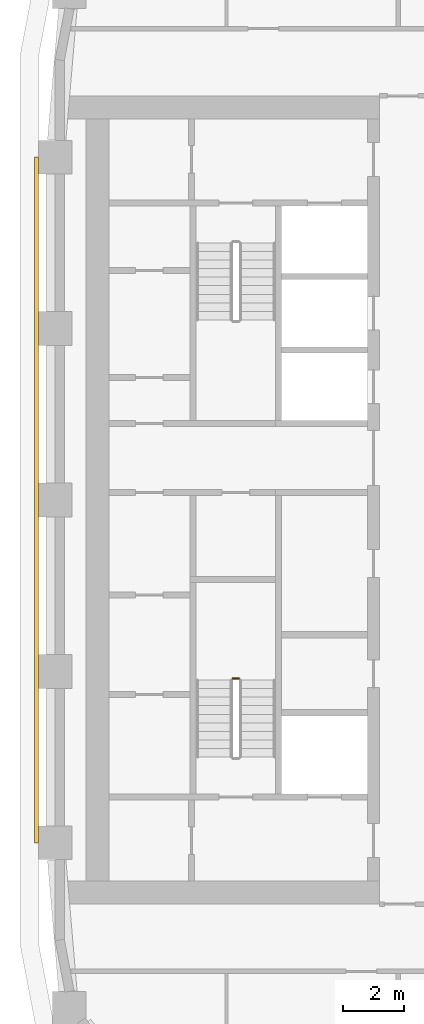
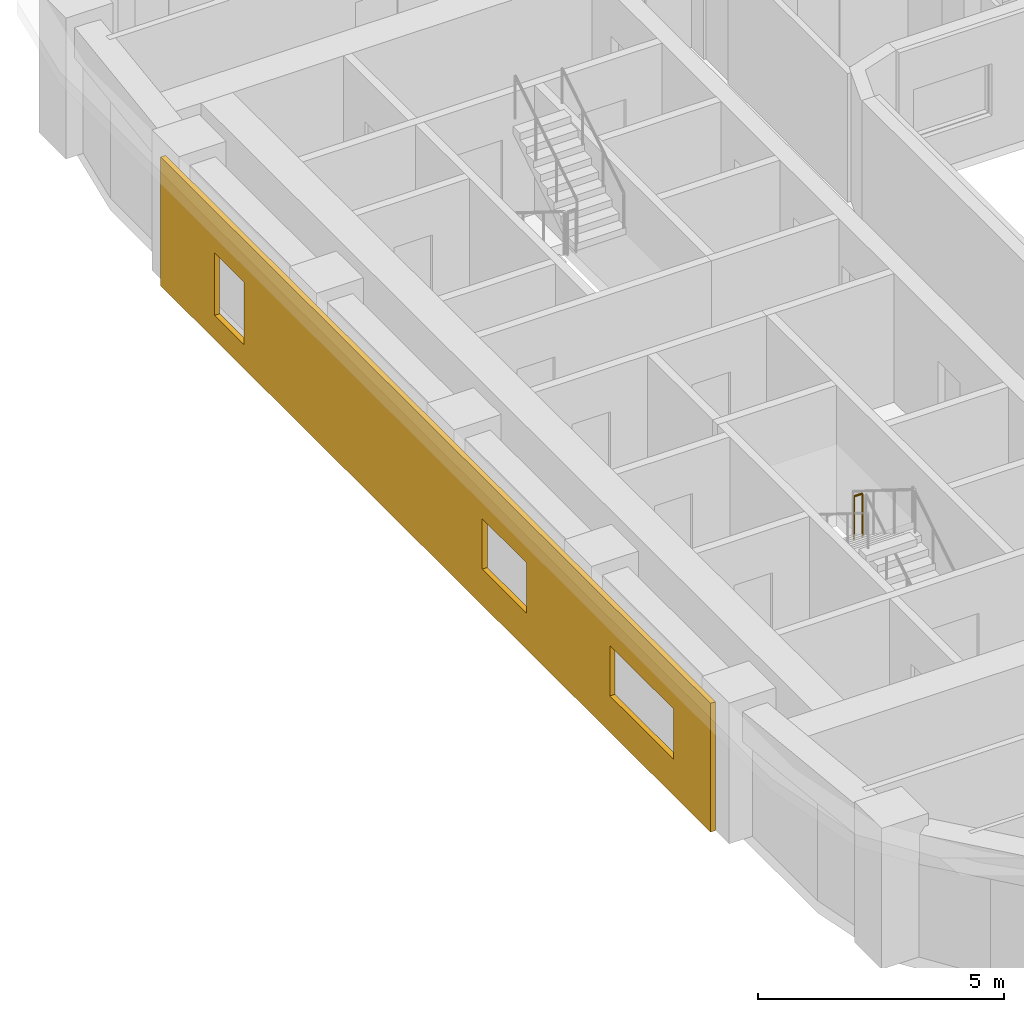
# One storey, part 13 of 22: 1 covering, 1 railing.
"""IFC4 building model written with IfcOpenShell, lengths in metres."""

import ifcopenshell
import ifcopenshell.guid

model = None  # the IFC model being written
_history = None  # IfcOwnerHistory: only IFC2X3 demands one
_inside = {}  # id of a spatial element -> (the spatial element, [elements in it])
_under = {}  # id of a project, library or spatial element -> (it, [spatial elements below it])
_declared = {}  # id of a project -> (the project, [libraries it declares])
_typed = {}  # id of a type object -> (the type object, [elements of that type])
_made_of = {}  # id of a material, layer set ... -> (it, [elements and type objects made of it])


def new_model(schema):
    """Start an empty IFC model of exactly this schema.

    Asked for "IFC4X3", IfcOpenShell would pick the latest addendum, in which some entities
    have other attributes; the version numbers below select the first issue.
    IFC2X3 requires an IfcOwnerHistory on every rooted entity: one is made here for all.
    """
    global model, _history
    if schema == "IFC4X3":
        model = ifcopenshell.file(schema_version=(4, 3, 0, 0))
    else:
        model = ifcopenshell.file(schema=schema)
    _inside.clear()
    _under.clear()
    _declared.clear()
    _typed.clear()
    _made_of.clear()
    _history = None
    if model.schema == "IFC2X3":
        org = make("IfcOrganization", Name="unknown")
        user = make(
            "IfcPersonAndOrganization",
            ThePerson=make("IfcPerson", FamilyName="unknown"),
            TheOrganization=org,
        )
        app = make(
            "IfcApplication",
            ApplicationDeveloper=org,
            Version="unknown",
            ApplicationFullName="unknown",
            ApplicationIdentifier="unknown",
        )
        _history = make(
            "IfcOwnerHistory",
            OwningUser=user,
            OwningApplication=app,
            ChangeAction="ADDED",
            CreationDate=0,
        )
    return model


def make(cls, **values):
    """One entity of the class cls with the attributes given. An attribute that is None is left unset."""
    return model.create_entity(
        cls, **{name: value for name, value in values.items() if value is not None}
    )


def rooted(cls, **values):
    """An entity with a GlobalId (a new one), such as an element, a storey or a relation."""
    return make(cls, GlobalId=ifcopenshell.guid.new(), OwnerHistory=_history, **values)


def si_unit(unit_type, name, prefix=None):
    """IfcSIUnit, for example si_unit("LENGTHUNIT", "METRE", prefix="MILLI")."""
    return make("IfcSIUnit", UnitType=unit_type, Prefix=prefix, Name=name)


def assignment(units):
    """IfcUnitAssignment: the units of a project."""
    return None if units is None else make("IfcUnitAssignment", Units=units)


def point(xyz):
    """IfcCartesianPoint."""
    return None if xyz is None else make("IfcCartesianPoint", Coordinates=xyz)


def direction(xyz):
    """IfcDirection."""
    return None if xyz is None else make("IfcDirection", DirectionRatios=xyz)


def frame(location, z_axis=None, x_axis=None):
    """IfcAxis2Placement3D, a coordinate frame: its origin and axes. An axis left out is left unset."""
    return make(
        "IfcAxis2Placement3D",
        Location=point(location),
        Axis=direction(z_axis),
        RefDirection=direction(x_axis),
    )


def frame_2d(location, x_axis=None):
    """IfcAxis2Placement2D, a coordinate frame in the plane: its origin and x axis."""
    return make(
        "IfcAxis2Placement2D", Location=point(location), RefDirection=direction(x_axis)
    )


def origin():
    """The frame at (0, 0, 0) with its axes left unset."""
    return frame((0.0, 0.0, 0.0))


def origin_2d():
    """The frame at (0, 0) in the plane with its x axis left unset."""
    return frame_2d((0.0, 0.0))


def place(relative_to, where):
    """IfcLocalPlacement: puts the frame where relative to a parent placement (None: the world)."""
    return make(
        "IfcLocalPlacement", PlacementRelTo=relative_to, RelativePlacement=where
    )


def context(
    kind, dimensions, precision=None, world=None, true_north=None, identifier=None
):
    """IfcGeometricRepresentationContext, for example the 3D "Model" context."""
    return make(
        "IfcGeometricRepresentationContext",
        ContextIdentifier=identifier,
        ContextType=kind,
        CoordinateSpaceDimension=dimensions,
        Precision=precision,
        WorldCoordinateSystem=world,
        TrueNorth=true_north,
    )


def subcontext(parent, identifier, kind, view, scale=None):
    """IfcGeometricRepresentationSubContext, for example "Body" below "Model"."""
    return make(
        "IfcGeometricRepresentationSubContext",
        ContextIdentifier=identifier,
        ContextType=kind,
        ParentContext=parent,
        TargetScale=scale,
        TargetView=view,
    )


def project(units=None, contexts=None):
    """IfcProject with its units and contexts."""
    return rooted(
        "IfcProject",
        Name="project",
        RepresentationContexts=contexts,
        UnitsInContext=assignment(units),
    )


def spatial(cls, under=None, at=None, **own):
    """A site, building, storey or space (cls), placed at a placement, below another one or the project."""
    s = rooted(cls, ObjectPlacement=at, **own)
    if under is not None:
        _under.setdefault(under.id(), (under, []))[1].append(s)
    return s


def polyline(points):
    """IfcPolyline through the points."""
    return make("IfcPolyline", Points=[point(p) for p in points])


def profile(cls, at=None, kind="AREA", **sizes):
    """A parametric profile (cls). Its sizes go by their IFC names, for example OverallWidth=200.0."""
    return make(cls, ProfileType=kind, Position=at, **sizes)


def circle(**sizes):
    """IfcCircleProfileDef."""
    return profile("IfcCircleProfileDef", **sizes)


def outline(outer, holes=None, kind="AREA"):
    """IfcArbitraryClosedProfileDef: a profile drawn as a closed curve; with holes, ...WithVoids."""
    if holes is None:
        return make("IfcArbitraryClosedProfileDef", ProfileType=kind, OuterCurve=outer)
    return make(
        "IfcArbitraryProfileDefWithVoids",
        ProfileType=kind,
        OuterCurve=outer,
        InnerCurves=holes,
    )


def extrude(swept, where, along, depth):
    """IfcExtrudedAreaSolid: the profile swept, set in the frame where, extruded along a direction by depth."""
    return make(
        "IfcExtrudedAreaSolid",
        SweptArea=swept,
        Position=where,
        ExtrudedDirection=direction(along),
        Depth=depth,
    )


def shape(context_of_items, identifier, shape_type, items):
    """IfcShapeRepresentation: the items that make up one representation, for example the "Body"."""
    return make(
        "IfcShapeRepresentation",
        ContextOfItems=context_of_items,
        RepresentationIdentifier=identifier,
        RepresentationType=shape_type,
        Items=items,
    )


def material(Name=None, Category=None):
    """IfcMaterial."""
    return make("IfcMaterial", Name=Name, Category=Category)


def layer(
    of_material, thickness, ventilated=None, Name=None, Category=None, Priority=None
):
    """IfcMaterialLayer: one layer of a wall or slab, of a material (None: an air gap)."""
    return make(
        "IfcMaterialLayer",
        Material=of_material,
        LayerThickness=thickness,
        IsVentilated=ventilated,
        Name=Name,
        Category=Category,
        Priority=Priority,
    )


def layer_set(layers, Name=None):
    """IfcMaterialLayerSet."""
    return make("IfcMaterialLayerSet", MaterialLayers=layers, LayerSetName=Name)


def made_of(thing, what):
    """Note that an element or type object is made of a material, layer set ...; save() writes the relation."""
    if what is not None:
        _made_of.setdefault(what.id(), (what, []))[1].append(thing)
    return thing


def type_object(cls, material=None, **own):
    """A type object (cls), such as IfcWallType, which elements share."""
    return made_of(rooted(cls, **own), material)


def element(
    cls,
    number,
    at=None,
    inside=None,
    cuts=None,
    type_object=None,
    material=None,
    context=None,
    identifier="Body",
    shape_type=None,
    held_by="IfcProductDefinitionShape",
    body=None,
    shapes=None,
    **own,
):
    """One element of the class cls, such as IfcWall. Its Tag is "e" and its number.

    at: its placement. inside: the storey or other place that contains it. cuts: it is an
    opening in that element (IfcRelVoidsElement). A single representation is given by context,
    identifier, shape_type and body (its items); several are given by shapes. held_by: the class
    of the entity that holds the representations. save() writes the other relations.
    """
    e = rooted(cls, Tag="e%d" % number, ObjectPlacement=at, **own)
    if body is not None:
        shapes = [shape(context, identifier, shape_type, body)]
    if shapes is not None:
        e.Representation = make(held_by, Representations=shapes)
    if inside is not None:
        _inside.setdefault(inside.id(), (inside, []))[1].append(e)
    if cuts is not None:
        rooted(
            "IfcRelVoidsElement", RelatingBuildingElement=cuts, RelatedOpeningElement=e
        )
    if type_object is not None:
        _typed.setdefault(type_object.id(), (type_object, []))[1].append(e)
    return made_of(e, material)


def aggregate(whole, parts):
    """IfcRelAggregates: a whole, such as a stair, and the parts it consists of."""
    return rooted("IfcRelAggregates", RelatingObject=whole, RelatedObjects=parts)


def save(model, path):
    """Write the relations noted so far, then the file.

    IfcRelAggregates (storeys below a building ...), IfcRelContainedInSpatialStructure (elements
    in a storey), IfcRelDefinesByType, IfcRelAssociatesMaterial and IfcRelDeclares: one each for
    every whole, place, type object, material and project.
    """
    for whole, parts in _under.values():
        aggregate(whole, parts)
    for where, things in _inside.values():
        rooted(
            "IfcRelContainedInSpatialStructure",
            RelatedElements=things,
            RelatingStructure=where,
        )
    for kind, things in _typed.values():
        rooted("IfcRelDefinesByType", RelatedObjects=things, RelatingType=kind)
    for what, things in _made_of.values():
        rooted("IfcRelAssociatesMaterial", RelatedObjects=things, RelatingMaterial=what)
    for by, libraries in _declared.values():
        rooted("IfcRelDeclares", RelatingContext=by, RelatedDefinitions=libraries)
    model.write(path)


model = new_model("IFC4")

# Units and contexts
model_context = context("Model", 3, precision=1e-05, world=origin(), true_north=direction((0.0, 1.0)))
body_context = subcontext(model_context, "Body", "Model", "MODEL_VIEW")
ifc_project = project(units=[si_unit("LENGTHUNIT", "METRE"), si_unit("AREAUNIT", "SQUARE_METRE"), si_unit("VOLUMEUNIT", "CUBIC_METRE"), si_unit("PLANEANGLEUNIT", "RADIAN"), si_unit("MASSUNIT", "GRAM", prefix="KILO")], contexts=[model_context])

# Site, building, storey
site_placement = place(None, origin())
site = spatial("IfcSite", under=ifc_project, at=site_placement, CompositionType="ELEMENT")
building_placement = place(site_placement, origin())
building = spatial("IfcBuilding", under=site, at=building_placement, Name="Kiln Ring Residences", CompositionType="ELEMENT")
storey_placement = place(building_placement, frame((0.0, 0.0, 153.60009765625)))
storey = spatial("IfcBuildingStorey", under=building, at=storey_placement, Name="L39", CompositionType="ELEMENT", Elevation=153.60009765625)

# Railing
ifc_material_1 = material(Name="Stainless steel", Category="steel")
railing_type = type_object("IfcRailingType", Name="CORE-STAIR-GUARD", PredefinedType="GUARDRAIL", material=ifc_material_1)
railing_placement = place(storey_placement, frame((-22.0, -5.830078125, 1.75)))
element("IfcRailing", 1, at=railing_placement, inside=storey, type_object=railing_type, Name="L39 W-STS stair guard 2", PredefinedType="GUARDRAIL", context=body_context, shape_type="SweptSolid", body=[
    extrude(circle(Radius=0.02392578125, at=origin_2d()), frame((0.0, 0.0, 1.076171875), z_axis=(-1.0, 0.0, 0.0), x_axis=(0.0, -1.0, 0.0)), (0.0, 0.0, 1.0), 0.199951171875),
    extrude(circle(Radius=0.02099609375, at=origin_2d()), origin(), (0.0, 0.0, 1.0), 1.052001953125),
    extrude(circle(Radius=0.02099609375, at=origin_2d()), frame((-0.199951171875, 0.0, 0.0)), (0.0, 0.0, 1.0), 1.052001953125),
])

# Covering
ifc_material_2 = material(Name="Brick masonry, dark clay brick", Category="masonry")
ifc_layer = layer(ifc_material_2, 0.1201171875)
ifc_layer_set = layer_set([ifc_layer], Name="RAINSCREEN PANEL 120")
covering_type = type_object("IfcCoveringType", Name="RAINSCREEN PANEL 120", PredefinedType="CLADDING", material=ifc_layer_set)
covering_placement = place(storey_placement, frame((-28.610107421875, 11.199951171875, 0.0), z_axis=(0.0, 0.0, 1.0), x_axis=(0.0, -1.0, 0.0)))
element("IfcCovering", 2, at=covering_placement, inside=storey, type_object=covering_type, Name="RAINSCREEN L39", PredefinedType="CLADDING", context=body_context, shape_type="SweptSolid", body=[
    extrude(outline(polyline([(0.0, 0.0), (22.39990234375, 0.0), (22.39990234375, 3.199951171875), (0.0, 3.199951171875), (0.0, 0.0)]), holes=[polyline([(3.39990234375, 2.14990234375), (2.199951171875, 2.14990234375), (2.199951171875, 0.599853515625), (3.39990234375, 0.599853515625), (3.39990234375, 2.14990234375)]), polyline([(14.89990234375, 0.89990234375), (14.89990234375, 2.14990234375), (13.10009765625, 2.14990234375), (13.10009765625, 0.89990234375), (14.89990234375, 0.89990234375)]), polyline([(20.89990234375, 0.89990234375), (20.89990234375, 2.14990234375), (18.300048828125, 2.14990234375), (18.300048828125, 0.89990234375), (20.89990234375, 0.89990234375)])]), frame((0.0, 0.06005859375, 0.0), z_axis=(0.0, -1.0, 0.0), x_axis=(1.0, 0.0, 0.0)), (0.0, 0.0, 1.0), 0.1201171875),
])

save(model, "model.ifc")
